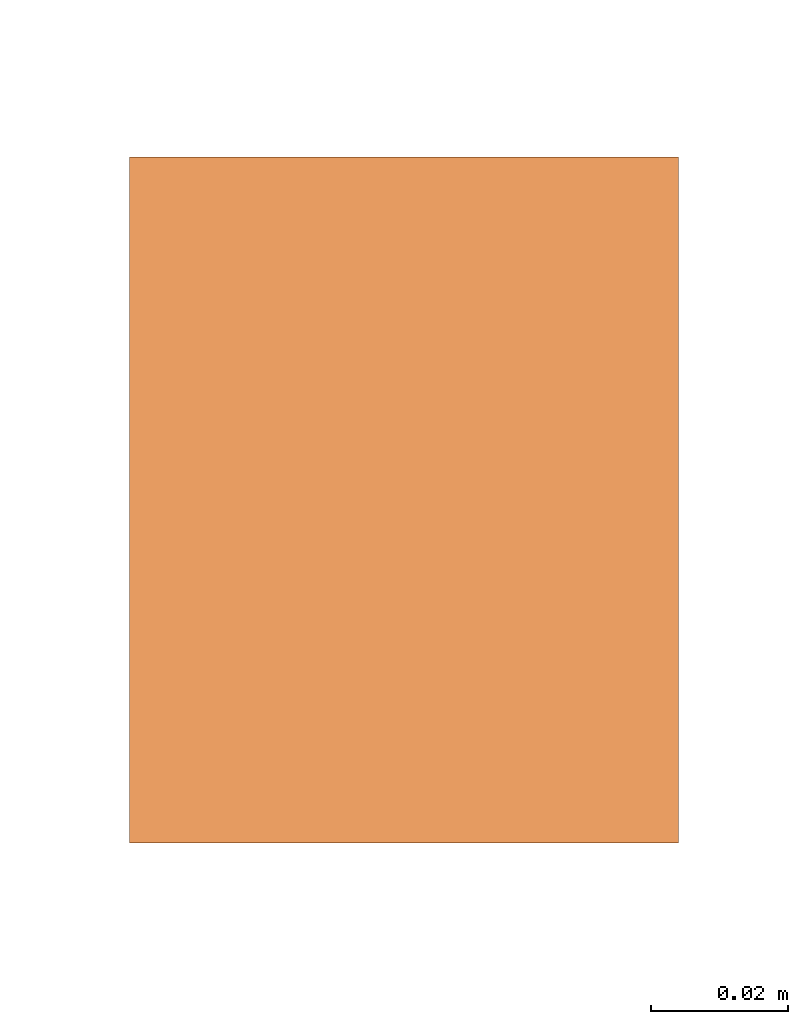
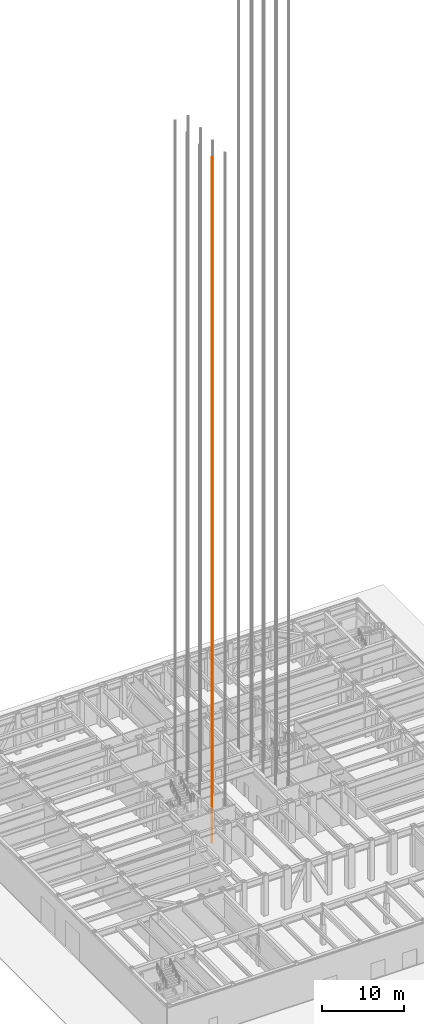
# One storey, part 20 of 35: 1 proxy.
"""IFC4 building model written with IfcOpenShell, lengths in metres."""

from ifc_helpers import new_model, si_unit, direction, frame, origin, origin_2d, place, context, subcontext, project, spatial, rectangle, extrude, material, type_object, element, save


model = new_model("IFC4")

# Units and contexts
model_context = context("Model", 3, precision=1e-05, world=origin(), true_north=direction((0.0, 1.0)))
body_context = subcontext(model_context, "Body", "Model", "MODEL_VIEW")
ifc_project = project(units=[si_unit("LENGTHUNIT", "METRE"), si_unit("AREAUNIT", "SQUARE_METRE"), si_unit("VOLUMEUNIT", "CUBIC_METRE"), si_unit("PLANEANGLEUNIT", "RADIAN"), si_unit("MASSUNIT", "GRAM", prefix="KILO")], contexts=[model_context])

# Site, building, storey
site_placement = place(None, origin())
site = spatial("IfcSite", under=ifc_project, at=site_placement, CompositionType="ELEMENT")
building_placement = place(site_placement, origin())
building = spatial("IfcBuilding", under=site, at=building_placement, Name="Chuquiago Exchange Tower", CompositionType="ELEMENT")
storey_placement = place(building_placement, origin())
storey = spatial("IfcBuildingStorey", under=building, at=storey_placement, Name="L00", CompositionType="ELEMENT", Elevation=0.0)

# Proxy
ifc_material = material(Name="Galvanised steel guide rail", Category="steel")
building_element_proxy_type = type_object("IfcBuildingElementProxyType", Name="LR lift guide rail", PredefinedType="NOTDEFINED", material=ifc_material)
proxy_placement = place(storey_placement, frame((17.06494140625, 16.5, 0.0), z_axis=(0.0, 0.0, 1.0), x_axis=(1.0, 0.0, 0.0)))
element("IfcBuildingElementProxy", 1, at=proxy_placement, inside=storey, type_object=building_element_proxy_type, Name="Lift LA1 guide rail W", PredefinedType="NOTDEFINED", context=body_context, shape_type="SweptSolid", body=[
    extrude(rectangle(XDim=0.080078125, YDim=0.10009765625, at=origin_2d()), origin(), (0.0, 0.0, 1.0), 102.300048828125),
])

save(model, "model.ifc")
